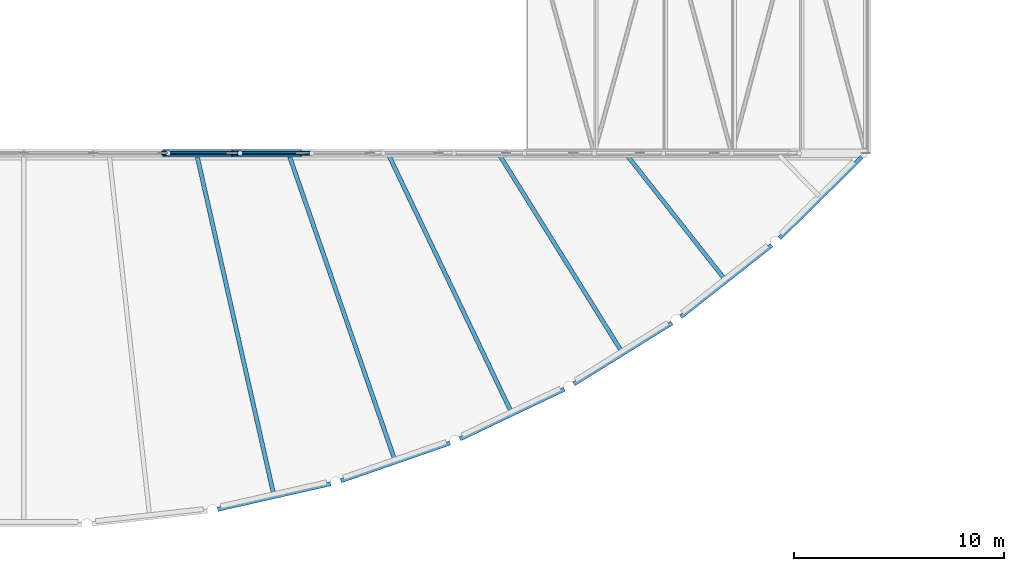
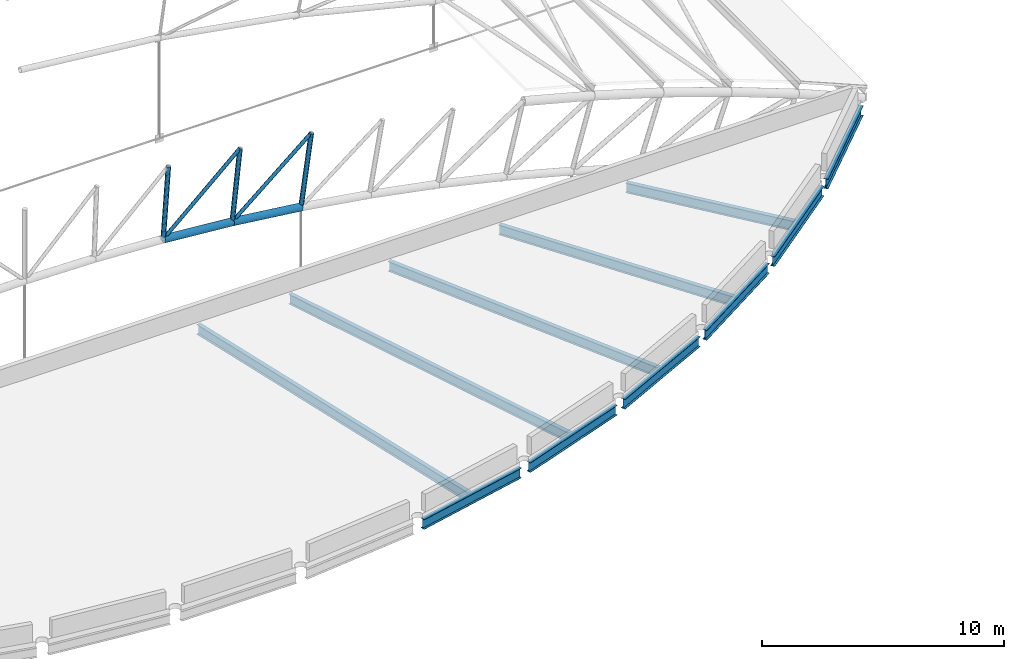
# One storey, part 39 of 321: 12 members, 6 beams.
"""IFC4 building model written with IfcOpenShell, lengths in metres."""

import ifcopenshell
import ifcopenshell.guid

model = None  # the IFC model being written
_history = None  # IfcOwnerHistory: only IFC2X3 demands one
_inside = {}  # id of a spatial element -> (the spatial element, [elements in it])
_under = {}  # id of a project, library or spatial element -> (it, [spatial elements below it])
_declared = {}  # id of a project -> (the project, [libraries it declares])
_typed = {}  # id of a type object -> (the type object, [elements of that type])
_made_of = {}  # id of a material, layer set ... -> (it, [elements and type objects made of it])


def new_model(schema):
    """Start an empty IFC model of exactly this schema.

    Asked for "IFC4X3", IfcOpenShell would pick the latest addendum, in which some entities
    have other attributes; the version numbers below select the first issue.
    IFC2X3 requires an IfcOwnerHistory on every rooted entity: one is made here for all.
    """
    global model, _history
    if schema == "IFC4X3":
        model = ifcopenshell.file(schema_version=(4, 3, 0, 0))
    else:
        model = ifcopenshell.file(schema=schema)
    _inside.clear()
    _under.clear()
    _declared.clear()
    _typed.clear()
    _made_of.clear()
    _history = None
    if model.schema == "IFC2X3":
        org = make("IfcOrganization", Name="unknown")
        user = make(
            "IfcPersonAndOrganization",
            ThePerson=make("IfcPerson", FamilyName="unknown"),
            TheOrganization=org,
        )
        app = make(
            "IfcApplication",
            ApplicationDeveloper=org,
            Version="unknown",
            ApplicationFullName="unknown",
            ApplicationIdentifier="unknown",
        )
        _history = make(
            "IfcOwnerHistory",
            OwningUser=user,
            OwningApplication=app,
            ChangeAction="ADDED",
            CreationDate=0,
        )
    return model


def make(cls, **values):
    """One entity of the class cls with the attributes given. An attribute that is None is left unset."""
    return model.create_entity(
        cls, **{name: value for name, value in values.items() if value is not None}
    )


def rooted(cls, **values):
    """An entity with a GlobalId (a new one), such as an element, a storey or a relation."""
    return make(cls, GlobalId=ifcopenshell.guid.new(), OwnerHistory=_history, **values)


def si_unit(unit_type, name, prefix=None):
    """IfcSIUnit, for example si_unit("LENGTHUNIT", "METRE", prefix="MILLI")."""
    return make("IfcSIUnit", UnitType=unit_type, Prefix=prefix, Name=name)


def assignment(units):
    """IfcUnitAssignment: the units of a project."""
    return None if units is None else make("IfcUnitAssignment", Units=units)


def point(xyz):
    """IfcCartesianPoint."""
    return None if xyz is None else make("IfcCartesianPoint", Coordinates=xyz)


def direction(xyz):
    """IfcDirection."""
    return None if xyz is None else make("IfcDirection", DirectionRatios=xyz)


def frame(location, z_axis=None, x_axis=None):
    """IfcAxis2Placement3D, a coordinate frame: its origin and axes. An axis left out is left unset."""
    return make(
        "IfcAxis2Placement3D",
        Location=point(location),
        Axis=direction(z_axis),
        RefDirection=direction(x_axis),
    )


def frame_2d(location, x_axis=None):
    """IfcAxis2Placement2D, a coordinate frame in the plane: its origin and x axis."""
    return make(
        "IfcAxis2Placement2D", Location=point(location), RefDirection=direction(x_axis)
    )


def origin():
    """The frame at (0, 0, 0) with its axes left unset."""
    return frame((0.0, 0.0, 0.0))


def origin_2d():
    """The frame at (0, 0) in the plane with its x axis left unset."""
    return frame_2d((0.0, 0.0))


def place(relative_to, where):
    """IfcLocalPlacement: puts the frame where relative to a parent placement (None: the world)."""
    return make(
        "IfcLocalPlacement", PlacementRelTo=relative_to, RelativePlacement=where
    )


def context(
    kind, dimensions, precision=None, world=None, true_north=None, identifier=None
):
    """IfcGeometricRepresentationContext, for example the 3D "Model" context."""
    return make(
        "IfcGeometricRepresentationContext",
        ContextIdentifier=identifier,
        ContextType=kind,
        CoordinateSpaceDimension=dimensions,
        Precision=precision,
        WorldCoordinateSystem=world,
        TrueNorth=true_north,
    )


def subcontext(parent, identifier, kind, view, scale=None):
    """IfcGeometricRepresentationSubContext, for example "Body" below "Model"."""
    return make(
        "IfcGeometricRepresentationSubContext",
        ContextIdentifier=identifier,
        ContextType=kind,
        ParentContext=parent,
        TargetScale=scale,
        TargetView=view,
    )


def project(units=None, contexts=None):
    """IfcProject with its units and contexts."""
    return rooted(
        "IfcProject",
        Name="project",
        RepresentationContexts=contexts,
        UnitsInContext=assignment(units),
    )


def spatial(cls, under=None, at=None, **own):
    """A site, building, storey or space (cls), placed at a placement, below another one or the project."""
    s = rooted(cls, ObjectPlacement=at, **own)
    if under is not None:
        _under.setdefault(under.id(), (under, []))[1].append(s)
    return s


def profile(cls, at=None, kind="AREA", **sizes):
    """A parametric profile (cls). Its sizes go by their IFC names, for example OverallWidth=200.0."""
    return make(cls, ProfileType=kind, Position=at, **sizes)


def hollow_circle(**sizes):
    """IfcCircleHollowProfileDef."""
    return profile("IfcCircleHollowProfileDef", **sizes)


def i_section(**sizes):
    """IfcIShapeProfileDef."""
    return profile("IfcIShapeProfileDef", **sizes)


def extrude(swept, where, along, depth):
    """IfcExtrudedAreaSolid: the profile swept, set in the frame where, extruded along a direction by depth."""
    return make(
        "IfcExtrudedAreaSolid",
        SweptArea=swept,
        Position=where,
        ExtrudedDirection=direction(along),
        Depth=depth,
    )


def shape(context_of_items, identifier, shape_type, items):
    """IfcShapeRepresentation: the items that make up one representation, for example the "Body"."""
    return make(
        "IfcShapeRepresentation",
        ContextOfItems=context_of_items,
        RepresentationIdentifier=identifier,
        RepresentationType=shape_type,
        Items=items,
    )


def material(Name=None, Category=None):
    """IfcMaterial."""
    return make("IfcMaterial", Name=Name, Category=Category)


def material_profile(
    of_material, cross_section, Name=None, Category=None, Priority=None
):
    """IfcMaterialProfile: a cross section and its material."""
    return make(
        "IfcMaterialProfile",
        Name=Name,
        Material=of_material,
        Profile=cross_section,
        Priority=Priority,
        Category=Category,
    )


def profile_set(profiles, Name=None, composite=None):
    """IfcMaterialProfileSet."""
    return make(
        "IfcMaterialProfileSet",
        Name=Name,
        MaterialProfiles=profiles,
        CompositeProfile=composite,
    )


def made_of(thing, what):
    """Note that an element or type object is made of a material, layer set ...; save() writes the relation."""
    if what is not None:
        _made_of.setdefault(what.id(), (what, []))[1].append(thing)
    return thing


def type_object(cls, material=None, **own):
    """A type object (cls), such as IfcWallType, which elements share."""
    return made_of(rooted(cls, **own), material)


def element(
    cls,
    number,
    at=None,
    inside=None,
    cuts=None,
    type_object=None,
    material=None,
    context=None,
    identifier="Body",
    shape_type=None,
    held_by="IfcProductDefinitionShape",
    body=None,
    shapes=None,
    **own,
):
    """One element of the class cls, such as IfcWall. Its Tag is "e" and its number.

    at: its placement. inside: the storey or other place that contains it. cuts: it is an
    opening in that element (IfcRelVoidsElement). A single representation is given by context,
    identifier, shape_type and body (its items); several are given by shapes. held_by: the class
    of the entity that holds the representations. save() writes the other relations.
    """
    e = rooted(cls, Tag="e%d" % number, ObjectPlacement=at, **own)
    if body is not None:
        shapes = [shape(context, identifier, shape_type, body)]
    if shapes is not None:
        e.Representation = make(held_by, Representations=shapes)
    if inside is not None:
        _inside.setdefault(inside.id(), (inside, []))[1].append(e)
    if cuts is not None:
        rooted(
            "IfcRelVoidsElement", RelatingBuildingElement=cuts, RelatedOpeningElement=e
        )
    if type_object is not None:
        _typed.setdefault(type_object.id(), (type_object, []))[1].append(e)
    return made_of(e, material)


def aggregate(whole, parts):
    """IfcRelAggregates: a whole, such as a stair, and the parts it consists of."""
    return rooted("IfcRelAggregates", RelatingObject=whole, RelatedObjects=parts)


def save(model, path):
    """Write the relations noted so far, then the file.

    IfcRelAggregates (storeys below a building ...), IfcRelContainedInSpatialStructure (elements
    in a storey), IfcRelDefinesByType, IfcRelAssociatesMaterial and IfcRelDeclares: one each for
    every whole, place, type object, material and project.
    """
    for whole, parts in _under.values():
        aggregate(whole, parts)
    for where, things in _inside.values():
        rooted(
            "IfcRelContainedInSpatialStructure",
            RelatedElements=things,
            RelatingStructure=where,
        )
    for kind, things in _typed.values():
        rooted("IfcRelDefinesByType", RelatedObjects=things, RelatingType=kind)
    for what, things in _made_of.values():
        rooted("IfcRelAssociatesMaterial", RelatedObjects=things, RelatingMaterial=what)
    for by, libraries in _declared.values():
        rooted("IfcRelDeclares", RelatingContext=by, RelatedDefinitions=libraries)
    model.write(path)


model = new_model("IFC4")

# Units and contexts
model_context = context("Model", 3, precision=1e-05, world=origin(), true_north=direction((0.0, 1.0)))
body_context = subcontext(model_context, "Body", "Model", "MODEL_VIEW")
ifc_project = project(units=[si_unit("LENGTHUNIT", "METRE"), si_unit("AREAUNIT", "SQUARE_METRE"), si_unit("VOLUMEUNIT", "CUBIC_METRE"), si_unit("PLANEANGLEUNIT", "RADIAN"), si_unit("MASSUNIT", "GRAM", prefix="KILO")], contexts=[model_context])

# Site, building, storey
site_placement = place(None, origin())
site = spatial("IfcSite", under=ifc_project, at=site_placement, CompositionType="ELEMENT")
building_placement = place(site_placement, origin())
building = spatial("IfcBuilding", under=site, at=building_placement, Name="Ravi Spectrum Wholesale Market", CompositionType="ELEMENT")
storey_placement = place(building_placement, frame((0.0, 0.0, 10.800048828125)))
storey = spatial("IfcBuildingStorey", under=building, at=storey_placement, Name="L02", CompositionType="ELEMENT", Elevation=10.800048828125)

# Members
ifc_material_1 = material(Name="Steel S355", Category="steel")
ifc_material_profile_1 = material_profile(ifc_material_1, hollow_circle(Radius=0.084228515625, WallThickness=0.00634765625, at=origin_2d()))
ifc_profile_set_1 = profile_set([ifc_material_profile_1], Name="Steel S355")
member_type_1 = type_object("IfcMemberType", Name="CHS 168.3x6.3 brace", PredefinedType="BRACE", material=ifc_profile_set_1)
for number, where, z_axis, x_axis, name in (
    (1, (80.273193359375, 30.0, 7.867919921875), (-0.743626505142, 0.0, -0.668595259369), (0.0, -1.0, 0.0), "H1-MB-L02-085"),
    (2, (83.678466796875, 30.0, 7.45458984375), (-0.766252893925, 0.0, -0.642539105854), (0.0, -1.0, 0.0), "H1-MB-L02-086"),
):
    element("IfcMember", number, at=place(storey_placement, frame(where, z_axis=z_axis, x_axis=x_axis)), inside=storey, type_object=member_type_1, Name=name, PredefinedType="BRACE", context=body_context, shape_type="SweptSolid", body=[
        extrude(hollow_circle(Radius=0.084228515625, WallThickness=0.00634765625, at=origin_2d()), origin(), (0.0, 0.0, 1.0), 4.9296875),
    ])
ifc_material_2 = material(Name="Steel S355", Category="steel")
ifc_material_profile_2 = material_profile(ifc_material_2, hollow_circle(Radius=0.109619140625, WallThickness=0.008056640625, at=origin_2d()))
ifc_profile_set_2 = profile_set([ifc_material_profile_2], Name="Steel S355")
member_type_2 = type_object("IfcMemberType", Name="CHS 219.1x8 post", PredefinedType="POST", material=ifc_profile_set_2)
member_1_placement = place(storey_placement, frame((76.85546875, 30.0, 8.163330078125), z_axis=(-0.068904502548, 0.0, -0.997623260319), x_axis=(0.0, -1.0, 0.0)))
element("IfcMember", 3, at=member_1_placement, inside=storey, type_object=member_type_2, Name="H1-MB-L02-062", PredefinedType="POST", context=body_context, shape_type="SweptSolid", body=[
    extrude(hollow_circle(Radius=0.109619140625, WallThickness=0.008056640625, at=origin_2d()), origin(), (0.0, 0.0, 1.0), 3.599853515625),
])
member_2_placement = place(storey_placement, frame((80.273193359375, 30.0, 7.867919921875), z_axis=(-0.103350310801, 0.0, -0.994645018716), x_axis=(0.0, -1.0, 0.0)))
element("IfcMember", 4, at=member_2_placement, inside=storey, type_object=member_type_2, Name="H1-MB-L02-063", PredefinedType="POST", context=body_context, shape_type="SweptSolid", body=[
    extrude(hollow_circle(Radius=0.109619140625, WallThickness=0.008056640625, at=origin_2d()), origin(), (0.0, 0.0, 1.0), 3.60009765625),
])
member_3_placement = place(storey_placement, frame((83.678466796875, 30.0, 7.45458984375), z_axis=(-0.137603486835, 0.0, -0.990487395382), x_axis=(0.0, -1.0, 0.0)))
element("IfcMember", 5, at=member_3_placement, inside=storey, type_object=member_type_2, Name="H1-MB-L02-064", PredefinedType="POST", context=body_context, shape_type="SweptSolid", body=[
    extrude(hollow_circle(Radius=0.109619140625, WallThickness=0.008056640625, at=origin_2d()), origin(), (0.0, 0.0, 1.0), 3.599853515625),
])
ifc_material_3 = material(Name="Steel S355", Category="steel")
ifc_material_profile_3 = material_profile(ifc_material_3, hollow_circle(Radius=0.177734375, WallThickness=0.012451171875, at=origin_2d()))
ifc_profile_set_3 = profile_set([ifc_material_profile_3], Name="Steel S355")
member_type_3 = type_object("IfcMemberType", Name="CHS 355.6x12.5 chord", PredefinedType="CHORD", material=ifc_profile_set_3)
member_4_placement = place(storey_placement, frame((76.607421875, 30.0, 4.572021484375), z_axis=(0.99627955827, 0.0, -0.08618028645), x_axis=(0.0, 1.0, 0.0)))
element("IfcMember", 6, at=member_4_placement, inside=storey, type_object=member_type_3, Name="H1-MB-L02-039", PredefinedType="CHORD", context=body_context, shape_type="SweptSolid", body=[
    extrude(hollow_circle(Radius=0.177734375, WallThickness=0.012451171875, at=origin_2d()), origin(), (0.0, 0.0, 1.0), 3.305908203125),
])
member_5_placement = place(storey_placement, frame((79.901123046875, 30.0, 4.287109375), z_axis=(0.99272014244, 0.0, -0.120443840833), x_axis=(0.0, 1.0, 0.0)))
element("IfcMember", 7, at=member_5_placement, inside=storey, type_object=member_type_3, Name="H1-MB-L02-040", PredefinedType="CHORD", context=body_context, shape_type="SweptSolid", body=[
    extrude(hollow_circle(Radius=0.177734375, WallThickness=0.012451171875, at=origin_2d()), origin(), (0.0, 0.0, 1.0), 3.30615234375),
])

# Beams
ifc_material_4 = material(Name="Steel S355", Category="steel")
ifc_material_profile_4 = material_profile(ifc_material_4, i_section(OverallWidth=0.199951171875, OverallDepth=0.5, WebThickness=0.01025390625, FlangeThickness=0.01611328125, at=origin_2d()))
ifc_profile_set_4 = profile_set([ifc_material_profile_4], Name="Steel S355")
beam_type = type_object("IfcBeamType", Name="IPE 500 girder", PredefinedType="BEAM", material=ifc_profile_set_4)
for number, where, z_axis, x_axis, name in (
    (8, (79.215087890625, 13.08251953125, -0.449951171875), (0.975365810688, 0.220593597689, 0.0), (-0.220593597689, 0.975365810688, 0.0), "H1-BM-L02-040"),
    (9, (85.062255859375, 14.43408203125, -0.449951171875), (0.944852880638, 0.327495089964, 0.0), (-0.327495089964, 0.944852880638, 0.0), "H1-BM-L02-041"),
):
    element("IfcBeam", number, at=place(storey_placement, frame(where, z_axis=z_axis, x_axis=x_axis)), inside=storey, type_object=beam_type, Name=name, PredefinedType="BEAM", context=body_context, shape_type="SweptSolid", body=[
        extrude(i_section(OverallWidth=0.199951171875, OverallDepth=0.5, WebThickness=0.01025390625, FlangeThickness=0.01611328125, at=origin_2d()), origin(), (0.0, 0.0, 1.0), 5.494873046875),
    ])
beam_1_placement = place(storey_placement, frame((90.723388671875, 16.42626953125, -0.449951171875), z_axis=(0.902666614249, 0.430340543664, 0.0), x_axis=(-0.430340543664, 0.902666614249, 0.0)))
element("IfcBeam", 10, at=beam_1_placement, inside=storey, type_object=beam_type, Name="H1-BM-L02-042", PredefinedType="BEAM", context=body_context, shape_type="SweptSolid", body=[
    extrude(i_section(OverallWidth=0.199951171875, OverallDepth=0.5, WebThickness=0.01025390625, FlangeThickness=0.01611328125, at=origin_2d()), origin(), (0.0, 0.0, 1.0), 5.4951171875),
])
beam_2_placement = place(storey_placement, frame((96.128662109375, 19.034423828125, -0.449951171875), z_axis=(0.849311168609, 0.52789254482, 0.0), x_axis=(-0.52789254482, 0.849311168609, 0.0)))
element("IfcBeam", 11, at=beam_2_placement, inside=storey, type_object=beam_type, Name="H1-BM-L02-043", PredefinedType="BEAM", context=body_context, shape_type="SweptSolid", body=[
    extrude(i_section(OverallWidth=0.199951171875, OverallDepth=0.5, WebThickness=0.01025390625, FlangeThickness=0.01611328125, at=origin_2d()), origin(), (0.0, 0.0, 1.0), 5.49462890625),
])
beam_3_placement = place(storey_placement, frame((101.210693359375, 22.226318359375, -0.449951171875), z_axis=(0.785468110209, 0.618902131071, 0.0), x_axis=(-0.618902131071, 0.785468110209, 0.0)))
element("IfcBeam", 12, at=beam_3_placement, inside=storey, type_object=beam_type, Name="H1-BM-L02-044", PredefinedType="BEAM", context=body_context, shape_type="SweptSolid", body=[
    extrude(i_section(OverallWidth=0.199951171875, OverallDepth=0.5, WebThickness=0.01025390625, FlangeThickness=0.01611328125, at=origin_2d()), origin(), (0.0, 0.0, 1.0), 5.4951171875),
])
beam_4_placement = place(storey_placement, frame((105.9072265625, 25.962890625, -0.449951171875), z_axis=(0.711933279009, 0.702247111948, 0.0), x_axis=(-0.702247111948, 0.711933279009, 0.0)))
element("IfcBeam", 13, at=beam_4_placement, inside=storey, type_object=beam_type, Name="H1-BM-L02-045", PredefinedType="BEAM", context=body_context, shape_type="SweptSolid", body=[
    extrude(i_section(OverallWidth=0.199951171875, OverallDepth=0.5, WebThickness=0.01025390625, FlangeThickness=0.01611328125, at=origin_2d()), origin(), (0.0, 0.0, 1.0), 5.49462890625),
])

# Members
ifc_material_5 = material(Name="Steel S355", Category="steel")
ifc_material_profile_5 = material_profile(ifc_material_5, i_section(OverallWidth=0.199951171875, OverallDepth=0.5, WebThickness=0.01025390625, FlangeThickness=0.01611328125, at=origin_2d()))
ifc_profile_set_5 = profile_set([ifc_material_profile_5], Name="Steel S355")
member_type_4 = type_object("IfcMemberType", Name="IPE 500 rafter", PredefinedType="RAFTER", material=ifc_profile_set_5)
member_6_placement = place(storey_placement, frame((81.872802734375, 13.7861328125, -0.449951171875), z_axis=(-0.220616912558, 0.975360537388, 0.0), x_axis=(-0.975360537388, -0.220616912558, 0.0)))
element("IfcMember", 14, at=member_6_placement, inside=storey, type_object=member_type_4, Name="H1-MB-L02-1747", PredefinedType="RAFTER", context=body_context, shape_type="SweptSolid", body=[
    extrude(i_section(OverallWidth=0.199951171875, OverallDepth=0.5, WebThickness=0.01025390625, FlangeThickness=0.01611328125, at=origin_2d()), origin(), (0.0, 0.0, 1.0), 16.520751953125),
])
member_7_placement = place(storey_placement, frame((87.62548828125, 15.42822265625, -0.449951171875), z_axis=(-0.327514566232, 0.944846129751, 0.0), x_axis=(-0.944846129751, -0.327514566232, 0.0)))
element("IfcMember", 15, at=member_7_placement, inside=storey, type_object=member_type_4, Name="H1-MB-L02-1748", PredefinedType="RAFTER", context=body_context, shape_type="SweptSolid", body=[
    extrude(i_section(OverallWidth=0.199951171875, OverallDepth=0.5, WebThickness=0.01025390625, FlangeThickness=0.01611328125, at=origin_2d()), origin(), (0.0, 0.0, 1.0), 15.31640625),
])
member_8_placement = place(storey_placement, frame((93.160400390625, 17.69873046875, -0.449951171875), z_axis=(-0.430359103949, 0.902657765517, 0.0), x_axis=(-0.902657765517, -0.430359103949, 0.0)))
element("IfcMember", 16, at=member_8_placement, inside=storey, type_object=member_type_4, Name="H1-MB-L02-1749", PredefinedType="RAFTER", context=body_context, shape_type="SweptSolid", body=[
    extrude(i_section(OverallWidth=0.199951171875, OverallDepth=0.5, WebThickness=0.01025390625, FlangeThickness=0.01611328125, at=origin_2d()), origin(), (0.0, 0.0, 1.0), 13.516845703125),
])
member_9_placement = place(storey_placement, frame((98.4091796875, 20.569580078125, -0.449951171875), z_axis=(-0.527893830436, 0.849310369528, 0.0), x_axis=(-0.849310369528, -0.527893830436, 0.0)))
element("IfcMember", 17, at=member_9_placement, inside=storey, type_object=member_type_4, Name="H1-MB-L02-1750", PredefinedType="RAFTER", context=body_context, shape_type="SweptSolid", body=[
    extrude(i_section(OverallWidth=0.199951171875, OverallDepth=0.5, WebThickness=0.01025390625, FlangeThickness=0.01611328125, at=origin_2d()), origin(), (0.0, 0.0, 1.0), 10.98583984375),
])
member_10_placement = place(storey_placement, frame((103.306884765625, 24.00537109375, -0.449951171875), z_axis=(-0.61890142263, 0.785468668418, 0.0), x_axis=(-0.785468668418, -0.61890142263, 0.0)))
element("IfcMember", 18, at=member_10_placement, inside=storey, type_object=member_type_4, Name="H1-MB-L02-1751", PredefinedType="RAFTER", context=body_context, shape_type="SweptSolid", body=[
    extrude(i_section(OverallWidth=0.199951171875, OverallDepth=0.5, WebThickness=0.01025390625, FlangeThickness=0.01611328125, at=origin_2d()), origin(), (0.0, 0.0, 1.0), 7.50439453125),
])

save(model, "model.ifc")
